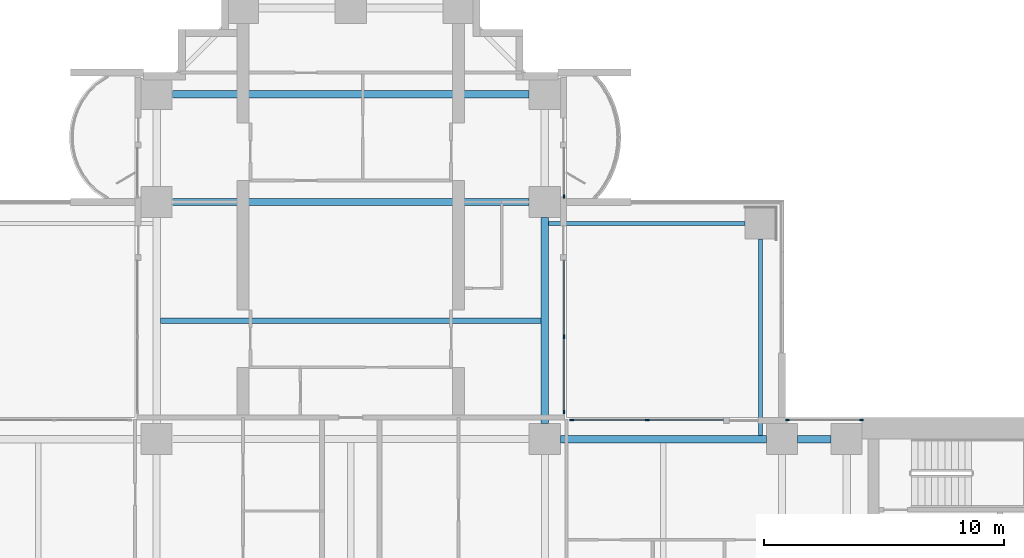
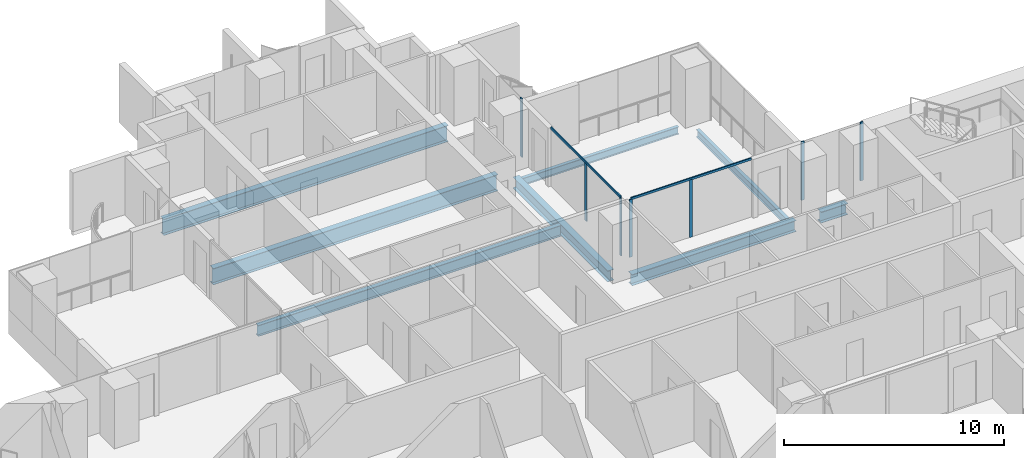
# One storey, part 6 of 21: 9 members, 8 beams, 4 elements without a shape of their own.
"""IFC4 building model written with IfcOpenShell, lengths in metres."""

from ifc_helpers import new_model, si_unit, direction, frame, origin, origin_2d, place, context, subcontext, project, spatial, rectangle, i_section, extrude, material, material_profile, profile_set, type_object, element, aggregate, save


model = new_model("IFC4")

# Units and contexts
model_context = context("Model", 3, precision=1e-05, world=origin(), true_north=direction((0.0, 1.0)))
body_context = subcontext(model_context, "Body", "Model", "MODEL_VIEW")
ifc_project = project(units=[si_unit("LENGTHUNIT", "METRE"), si_unit("AREAUNIT", "SQUARE_METRE"), si_unit("VOLUMEUNIT", "CUBIC_METRE"), si_unit("PLANEANGLEUNIT", "RADIAN"), si_unit("MASSUNIT", "GRAM", prefix="KILO")], contexts=[model_context])

# Site, building, storey
site_placement = place(None, origin())
site = spatial("IfcSite", under=ifc_project, at=site_placement, CompositionType="ELEMENT")
building_placement = place(site_placement, origin())
building = spatial("IfcBuilding", under=site, at=building_placement, Name="Perihelion Cross Residences", CompositionType="ELEMENT")
storey_placement = place(building_placement, frame((0.0, 0.0, 47.0)))
storey = spatial("IfcBuildingStorey", under=building, at=storey_placement, Name="L08", CompositionType="ELEMENT", Elevation=47.0)

# Curtain wall, members
ifc_material_1 = material(Name="Bronze anodised aluminium, tinted glazing", Category="aluminium")
curtain_wall_type = type_object("IfcCurtainWallType", Name="CW1", PredefinedType="NOTDEFINED", material=ifc_material_1)
curtain_wall_1_placement = place(storey_placement, origin())
curtain_wall_1 = element("IfcCurtainWall", 1, at=curtain_wall_1_placement, inside=storey, type_object=curtain_wall_type, Name="Curtain wall CW1 L08 east side north bay 1", PredefinedType="NOTDEFINED")
ifc_material_2 = material(Name="Bronze anodised aluminium", Category="aluminium")
ifc_material_profile_1 = material_profile(ifc_material_2, rectangle(XDim=0.06005859375, YDim=0.159912109375, at=origin_2d()), Name="CW1 mullion")
ifc_profile_set_1 = profile_set([ifc_material_profile_1], Name="Bronze anodised aluminium")
member_type_1 = type_object("IfcMemberType", Name="CW1 mullion", PredefinedType="MULLION", material=ifc_profile_set_1)
member_1_placement = place(storey_placement, frame((21.320068359375, 8.89990234375, 0.0), z_axis=(0.0, 0.0, 1.0), x_axis=(0.0, -1.0, 0.0)))
member_1 = element("IfcMember", 2, at=member_1_placement, type_object=member_type_1, Name="CW1 mullion 1", PredefinedType="MULLION", context=body_context, shape_type="SweptSolid", body=[
    extrude(rectangle(XDim=0.06005859375, YDim=0.159912109375, at=origin_2d()), origin(), (0.0, 0.0, 1.0), 3.25),
])
member_2_placement = place(storey_placement, frame((18.22998046875, 8.89990234375, 0.0), z_axis=(0.0, 0.0, 1.0), x_axis=(0.0, -1.0, 0.0)))
member_2 = element("IfcMember", 3, at=member_2_placement, type_object=member_type_1, Name="CW1 mullion 2", PredefinedType="MULLION", context=body_context, shape_type="SweptSolid", body=[
    extrude(rectangle(XDim=0.06005859375, YDim=0.159912109375, at=origin_2d()), origin(), (0.0, 0.0, 1.0), 3.25),
])
aggregate(curtain_wall_1, [member_1, member_2])

curtain_wall_2_placement = place(storey_placement, origin())
curtain_wall_2 = element("IfcCurtainWall", 4, at=curtain_wall_2_placement, inside=storey, type_object=curtain_wall_type, Name="Curtain wall CW1 L08 east side north bay 2", PredefinedType="NOTDEFINED")
member_3_placement = place(storey_placement, frame((12.375, 8.89990234375, 0.0), z_axis=(0.0, 0.0, 1.0), x_axis=(0.0, -1.0, 0.0)))
member_3 = element("IfcMember", 5, at=member_3_placement, type_object=member_type_1, Name="CW1 mullion 2", PredefinedType="MULLION", context=body_context, shape_type="SweptSolid", body=[
    extrude(rectangle(XDim=0.06005859375, YDim=0.159912109375, at=origin_2d()), origin(), (0.0, 0.0, 1.0), 3.18994140625),
])
member_4_placement = place(storey_placement, frame((9.22998046875, 8.89990234375, 0.0), z_axis=(0.0, 0.0, 1.0), x_axis=(0.0, -1.0, 0.0)))
member_4 = element("IfcMember", 6, at=member_4_placement, type_object=member_type_1, Name="CW1 mullion 3", PredefinedType="MULLION", context=body_context, shape_type="SweptSolid", body=[
    extrude(rectangle(XDim=0.06005859375, YDim=0.159912109375, at=origin_2d()), origin(), (0.0, 0.0, 1.0), 3.18994140625),
])

curtain_wall_3_placement = place(storey_placement, origin())
curtain_wall_3 = element("IfcCurtainWall", 7, at=curtain_wall_3_placement, inside=storey, type_object=curtain_wall_type, Name="Curtain wall CW1 L08 north side east bay 1", PredefinedType="NOTDEFINED")
member_5_placement = place(storey_placement, frame((8.89990234375, 9.22998046875, 0.0), z_axis=(0.0, 0.0, 1.0), x_axis=(-1.0, 0.0, 0.0)))
member_5 = element("IfcMember", 8, at=member_5_placement, type_object=member_type_1, Name="CW1 mullion 1", PredefinedType="MULLION", context=body_context, shape_type="SweptSolid", body=[
    extrude(rectangle(XDim=0.06005859375, YDim=0.159912109375, at=origin_2d()), origin(), (0.0, 0.0, 1.0), 3.18994140625),
])
member_6_placement = place(storey_placement, frame((8.89990234375, 12.375, 0.0), z_axis=(0.0, 0.0, 1.0), x_axis=(-1.0, 0.0, 0.0)))
member_6 = element("IfcMember", 9, at=member_6_placement, type_object=member_type_1, Name="CW1 mullion 2", PredefinedType="MULLION", context=body_context, shape_type="SweptSolid", body=[
    extrude(rectangle(XDim=0.06005859375, YDim=0.159912109375, at=origin_2d()), origin(), (0.0, 0.0, 1.0), 3.18994140625),
])

# Curtain wall, member
curtain_wall_4_placement = place(storey_placement, origin())
curtain_wall_4 = element("IfcCurtainWall", 10, at=curtain_wall_4_placement, inside=storey, type_object=curtain_wall_type, Name="Curtain wall CW1 L08 north side east bay 2", PredefinedType="NOTDEFINED")
member_7_placement = place(storey_placement, frame((8.89990234375, 18.22998046875, 0.0), z_axis=(0.0, 0.0, 1.0), x_axis=(-1.0, 0.0, 0.0)))
member_7 = element("IfcMember", 11, at=member_7_placement, type_object=member_type_1, Name="CW1 mullion 1", PredefinedType="MULLION", context=body_context, shape_type="SweptSolid", body=[
    extrude(rectangle(XDim=0.06005859375, YDim=0.159912109375, at=origin_2d()), origin(), (0.0, 0.0, 1.0), 3.25),
])
aggregate(curtain_wall_4, [member_7])

# Member
ifc_material_3 = material(Name="Bronze anodised aluminium", Category="aluminium")
ifc_material_profile_2 = material_profile(ifc_material_3, rectangle(XDim=0.06005859375, YDim=0.1201171875, at=origin_2d()), Name="CW1 transom")
ifc_profile_set_2 = profile_set([ifc_material_profile_2], Name="Bronze anodised aluminium")
member_type_2 = type_object("IfcMemberType", Name="CW1 transom", PredefinedType="USERDEFINED", material=ifc_profile_set_2)
member_8_placement = place(storey_placement, frame((15.550048828125, 8.89990234375, 3.219970703125), z_axis=(-1.0, 0.0, 0.0), x_axis=(0.0, -1.0, 0.0)))
member_8 = element("IfcMember", 12, at=member_8_placement, type_object=member_type_2, Name="CW1 head transom", ObjectType="TRANSOM", PredefinedType="USERDEFINED", context=body_context, shape_type="SweptSolid", body=[
    extrude(rectangle(XDim=0.06005859375, YDim=0.1201171875, at=origin_2d()), origin(), (0.0, 0.0, 1.0), 6.320068359375),
])

aggregate(curtain_wall_2, [member_3, member_4, member_8])

member_9_placement = place(storey_placement, frame((8.89990234375, 9.22998046875, 3.219970703125), z_axis=(0.0, 1.0, 0.0), x_axis=(-1.0, 0.0, 0.0)))
member_9 = element("IfcMember", 13, at=member_9_placement, type_object=member_type_2, Name="CW1 head transom", ObjectType="TRANSOM", PredefinedType="USERDEFINED", context=body_context, shape_type="SweptSolid", body=[
    extrude(rectangle(XDim=0.06005859375, YDim=0.1201171875, at=origin_2d()), origin(), (0.0, 0.0, 1.0), 6.320068359375),
])

aggregate(curtain_wall_3, [member_5, member_6, member_9])

# Beams
ifc_material_4 = material(Name="Steel S355", Category="steel")
ifc_material_profile_3 = material_profile(ifc_material_4, i_section(OverallWidth=0.177978515625, OverallDepth=0.406005859375, WebThickness=0.0078125, FlangeThickness=0.0126953125, at=origin_2d()), Name="W410x60")
ifc_profile_set_3 = profile_set([ifc_material_profile_3], Name="Steel S355")
beam_type_1 = type_object("IfcBeamType", Name="Core edge beam W410x60", PredefinedType="BEAM", material=ifc_profile_set_3)
for number, where, z_axis, x_axis, name in (
    (14, (17.10009765625, 8.262451171875, -0.452880859375), (0.0, 1.0, 0.0), (-1.0, 0.0, 0.0), "Core edge beam TB2 L08 corner no. 7"),
    (15, (8.262451171875, 17.10009765625, -0.452880859375), (1.0, 0.0, 0.0), (0.0, 1.0, 0.0), "Core edge beam TB2 L08 corner no. 8"),
):
    element("IfcBeam", number, at=place(storey_placement, frame(where, z_axis=z_axis, x_axis=x_axis)), inside=storey, type_object=beam_type_1, Name=name, PredefinedType="BEAM", context=body_context, shape_type="SweptSolid", body=[
        extrude(i_section(OverallWidth=0.177978515625, OverallDepth=0.406005859375, WebThickness=0.0078125, FlangeThickness=0.0126953125, at=origin_2d()), origin(), (0.0, 0.0, 1.0), 8.1875),
    ])
ifc_material_5 = material(Name="Steel S355", Category="steel")
ifc_material_profile_4 = material_profile(ifc_material_5, i_section(OverallWidth=0.324951171875, OverallDepth=0.616943359375, WebThickness=0.013916015625, FlangeThickness=0.021484375, at=origin_2d()), Name="W610x174")
ifc_profile_set_4 = profile_set([ifc_material_profile_4], Name="Steel S355")
beam_type_2 = type_object("IfcBeamType", Name="Edge beam W610x174", PredefinedType="SPANDREL", material=ifc_profile_set_4)
beam_1_placement = place(storey_placement, frame((20.050048828125, 8.10009765625, -0.55859375), z_axis=(-1.0, 0.0, 0.0), x_axis=(0.0, -1.0, 0.0)))
element("IfcBeam", 16, at=beam_1_placement, inside=storey, type_object=beam_type_2, Name="Edge beam SB2 L08 no. 14", PredefinedType="SPANDREL", context=body_context, shape_type="SweptSolid", body=[
    extrude(i_section(OverallWidth=0.324951171875, OverallDepth=0.616943359375, WebThickness=0.013916015625, FlangeThickness=0.021484375, at=origin_2d()), origin(), (0.0, 0.0, 1.0), 1.400146484375),
])
for number, where, z_axis, x_axis, name in (
    (17, (17.35009765625, 8.10009765625, -0.55859375), (-1.0, 0.0, 0.0), (0.0, -1.0, 0.0), "Edge beam SB2 L08 no. 13"),
    (18, (8.10009765625, 8.75, -0.55859375), (0.0, 1.0, 0.0), (-1.0, 0.0, 0.0), "Edge beam SB2 L08 no. 20"),
):
    element("IfcBeam", number, at=place(storey_placement, frame(where, z_axis=z_axis, x_axis=x_axis)), inside=storey, type_object=beam_type_2, Name=name, PredefinedType="SPANDREL", context=body_context, shape_type="SweptSolid", body=[
        extrude(i_section(OverallWidth=0.324951171875, OverallDepth=0.616943359375, WebThickness=0.013916015625, FlangeThickness=0.021484375, at=origin_2d()), origin(), (0.0, 0.0, 1.0), 8.60009765625),
    ])
ifc_material_6 = material(Name="Steel S355", Category="steel")
ifc_material_profile_5 = material_profile(ifc_material_6, i_section(OverallWidth=0.304931640625, OverallDepth=0.904052734375, WebThickness=0.01513671875, FlangeThickness=0.02001953125, at=origin_2d()), Name="W920x201")
ifc_profile_set_5 = profile_set([ifc_material_profile_5], Name="Steel S355")
beam_type_3 = type_object("IfcBeamType", Name="Floor girder W920x201", PredefinedType="BEAM", material=ifc_profile_set_5)
for number, where, z_axis, x_axis, name in (
    (19, (-7.449951171875, 18.0, -0.701904296875), (1.0, 0.0, 0.0), (0.0, 1.0, 0.0), "Girder G2 L08 no. 5"),
    (20, (-7.449951171875, 22.5, -0.701904296875), (1.0, 0.0, 0.0), (0.0, 1.0, 0.0), "Girder G2 L08 no. 6"),
):
    element("IfcBeam", number, at=place(storey_placement, frame(where, z_axis=z_axis, x_axis=x_axis)), inside=storey, type_object=beam_type_3, Name=name, PredefinedType="BEAM", context=body_context, shape_type="SweptSolid", body=[
        extrude(i_section(OverallWidth=0.304931640625, OverallDepth=0.904052734375, WebThickness=0.01513671875, FlangeThickness=0.02001953125, at=origin_2d()), origin(), (0.0, 0.0, 1.0), 14.89990234375),
    ])
ifc_material_7 = material(Name="Steel S355", Category="steel")
ifc_material_profile_6 = material_profile(ifc_material_7, i_section(OverallWidth=0.22900390625, OverallDepth=0.612060546875, WebThickness=0.011962890625, FlangeThickness=0.01953125, at=origin_2d()), Name="W610x125")
ifc_profile_set_6 = profile_set([ifc_material_profile_6], Name="Steel S355")
beam_type_4 = type_object("IfcBeamType", Name="Floor joist W610x125", PredefinedType="JOIST", material=ifc_profile_set_6)
beam_2_placement = place(storey_placement, frame((-7.9375, 13.050048828125, -0.555908203125), z_axis=(1.0, 0.0, 0.0), x_axis=(0.0, 1.0, 0.0)))
element("IfcBeam", 21, at=beam_2_placement, inside=storey, type_object=beam_type_4, Name="Joist J3 L08 no. 4", PredefinedType="JOIST", context=body_context, shape_type="SweptSolid", body=[
    extrude(i_section(OverallWidth=0.22900390625, OverallDepth=0.612060546875, WebThickness=0.011962890625, FlangeThickness=0.01953125, at=origin_2d()), origin(), (0.0, 0.0, 1.0), 15.875),
])

save(model, "model.ifc")
